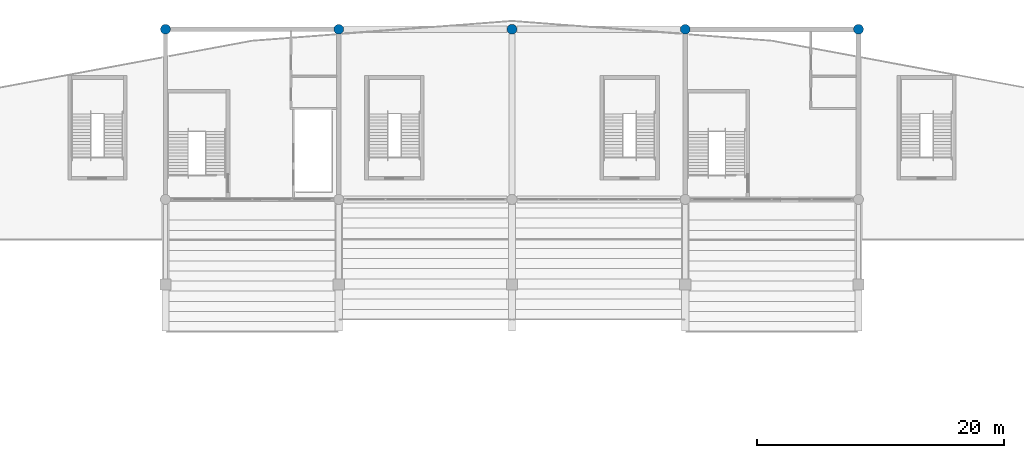
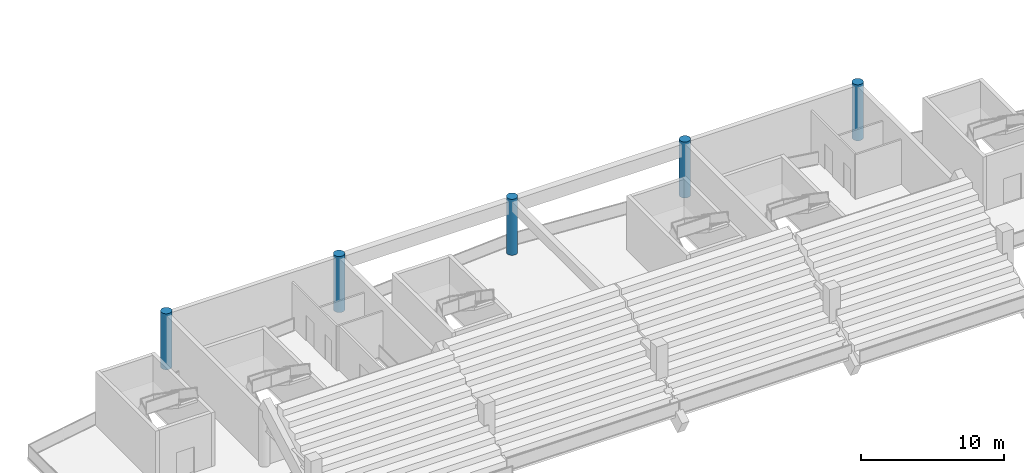
# One storey, part 12 of 94: 5 columns.
"""IFC4 building model written with IfcOpenShell, lengths in metres."""

from ifc_helpers import new_model, si_unit, direction, frame, origin, origin_2d, place, context, subcontext, project, spatial, circle, extrude, material, material_profile, profile_set, type_object, element, save


model = new_model("IFC4")

# Units and contexts
model_context = context("Model", 3, precision=1e-05, world=origin(), true_north=direction((0.0, 1.0)))
body_context = subcontext(model_context, "Body", "Model", "MODEL_VIEW")
ifc_project = project(units=[si_unit("LENGTHUNIT", "METRE"), si_unit("AREAUNIT", "SQUARE_METRE"), si_unit("VOLUMEUNIT", "CUBIC_METRE"), si_unit("PLANEANGLEUNIT", "RADIAN"), si_unit("MASSUNIT", "GRAM", prefix="KILO")], contexts=[model_context])

# Site, building, storey
site_placement = place(None, origin())
site = spatial("IfcSite", under=ifc_project, at=site_placement, CompositionType="ELEMENT")
building_placement = place(site_placement, origin())
building = spatial("IfcBuilding", under=site, at=building_placement, Name="Linyun Crest Stadium", CompositionType="ELEMENT")
storey_placement = place(building_placement, frame((0.0, 0.0, 16.199951171875)))
storey = spatial("IfcBuildingStorey", under=building, at=storey_placement, Name="L04", CompositionType="ELEMENT", Elevation=16.199951171875)

# Columns
ifc_material = material(Name="Concrete C50", Category="concrete")
ifc_material_profile = material_profile(ifc_material, circle(Radius=0.39990234375, at=origin_2d()), Name="RC D800")
ifc_profile_set = profile_set([ifc_material_profile], Name="Concrete C50")
column_type = type_object("IfcColumnType", Name="C07", PredefinedType="COLUMN", material=ifc_profile_set)
for number, where, z_axis, x_axis, name in (
    (1, (-28.0, 105.25, 0.0), (0.0, 0.0, 1.0), (1.0, 0.0, 0.0), "Column C07 L04 588"),
    (2, (-14.0, 105.25, 0.0), (0.0, 0.0, 1.0), (1.0, 0.0, 0.0), "Column C07 L04 609"),
    (3, (0.0, 105.25, 0.0), (0.0, 0.0, 1.0), (1.0, 0.0, 0.0), "Column C07 L04 630"),
    (4, (14.0, 105.25, 0.0), (0.0, 0.0, 1.0), (1.0, 0.0, 0.0), "Column C07 L04 651"),
    (5, (28.0, 105.25, 0.0), (0.0, 0.0, 1.0), (1.0, 0.0, 0.0), "Column C07 L04 672"),
):
    element("IfcColumn", number, at=place(storey_placement, frame(where, z_axis=z_axis, x_axis=x_axis)), inside=storey, type_object=column_type, Name=name, PredefinedType="COLUMN", context=body_context, shape_type="SweptSolid", body=[
        extrude(circle(Radius=0.39990234375, at=origin_2d()), origin(), (0.0, 0.0, 1.0), 4.798095703125),
    ])

save(model, "model.ifc")
